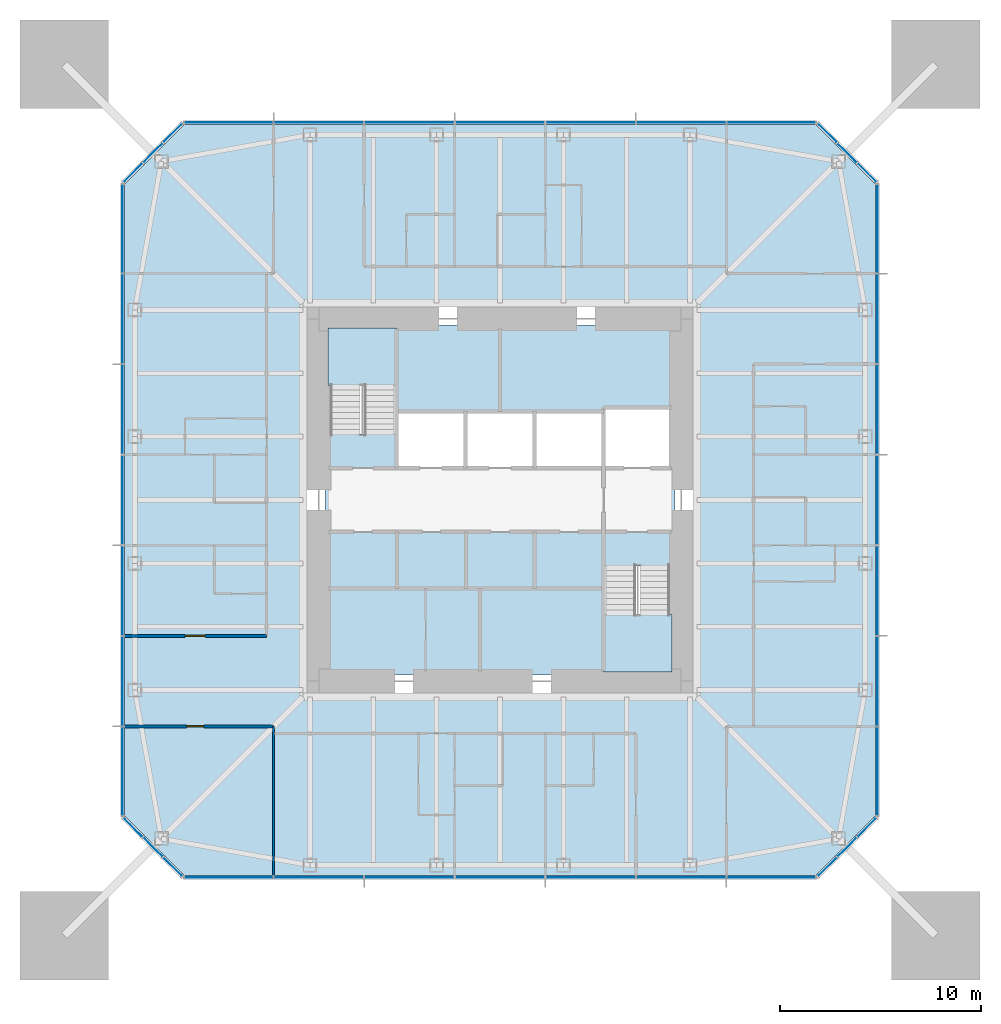
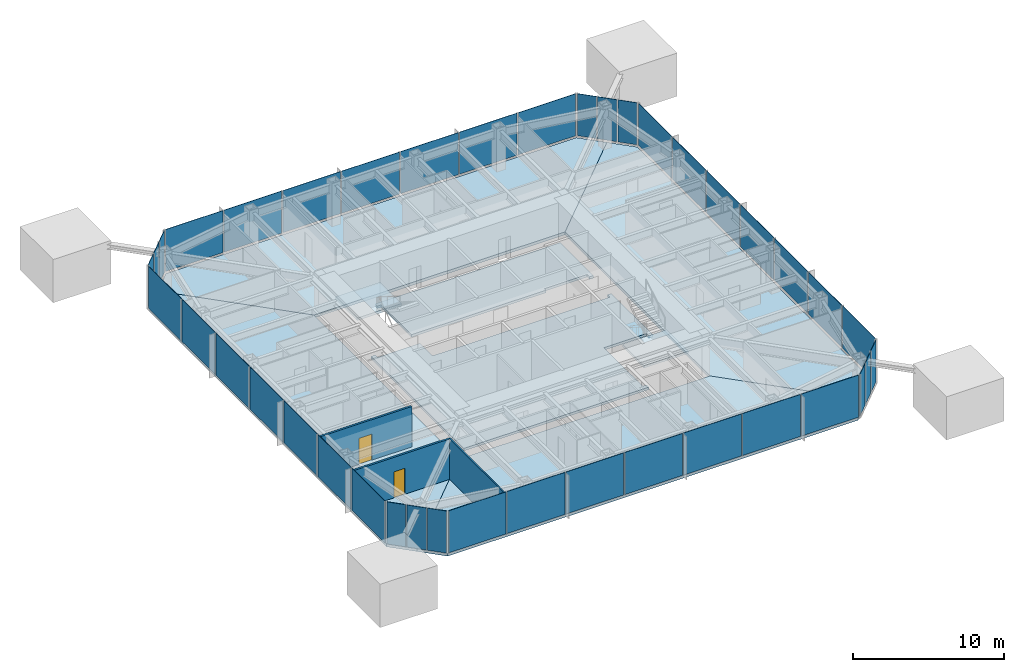
# One storey, part 5 of 11: 40 plates, 8 slabs, 3 walls, 2 doors, 2 openings, 10 elements without a shape of their own.
"""IFC4 building model written with IfcOpenShell, lengths in metres."""

from ifc_helpers import new_model, si_unit, direction, frame, frame_2d, origin, origin_2d, place, context, subcontext, project, spatial, polyline, rectangle, outline, extrude, material, layer, layer_set, constituent, constituent_set, type_object, element, fill, aggregate, save


model = new_model("IFC4")

# Units and contexts
model_context = context("Model", 3, precision=1e-05, world=origin(), true_north=direction((0.0, 1.0)))
body_context = subcontext(model_context, "Body", "Model", "MODEL_VIEW")
ifc_project = project(units=[si_unit("LENGTHUNIT", "METRE"), si_unit("AREAUNIT", "SQUARE_METRE"), si_unit("VOLUMEUNIT", "CUBIC_METRE"), si_unit("PLANEANGLEUNIT", "RADIAN"), si_unit("MASSUNIT", "GRAM", prefix="KILO")], contexts=[model_context])

# Site, building, storey
site_placement = place(None, origin())
site = spatial("IfcSite", under=ifc_project, at=site_placement, CompositionType="ELEMENT")
building_placement = place(site_placement, origin())
building = spatial("IfcBuilding", under=site, at=building_placement, Name="Iwan Alto Co-Living Towers", CompositionType="ELEMENT")
storey_placement = place(building_placement, frame((0.0, 0.0, 170.5)))
storey = spatial("IfcBuildingStorey", under=building, at=storey_placement, Name="L46", CompositionType="ELEMENT", Elevation=170.5)

# Slabs
ifc_material_1 = material(Name="Concrete f'c 30 MPa", Category="concrete")
ifc_layer_1 = layer(ifc_material_1, 0.199951171875)
ifc_layer_set_1 = layer_set([ifc_layer_1], Name="CORE FLOOR SLAB 200")
slab_type_1 = type_object("IfcSlabType", Name="CORE FLOOR SLAB 200", PredefinedType="FLOOR", material=ifc_layer_set_1)
slab_1_placement = place(storey_placement, frame((0.0, 0.0, -0.199951171875)))
element("IfcSlab", 1, at=slab_1_placement, inside=storey, type_object=slab_type_1, Name="T1 core floor L46", PredefinedType="FLOOR", context=body_context, shape_type="SweptSolid", body=[
    extrude(outline(polyline([(5.14990234375, -8.39990234375), (5.4599609375, -8.39990234375), (5.4599609375, -8.699951171875), (-8.699951171875, -8.699951171875), (-8.699951171875, 3.580078125), (-8.39990234375, 3.580078125), (-8.39990234375, 3.27001953125), (-5.14990234375, 3.27001953125), (-5.14990234375, 1.60009765625), (-1.717041015625, 1.60009765625), (1.717041015625, 1.60009765625), (5.14990234375, 1.60009765625), (8.39990234375, 1.60009765625), (8.39990234375, 1.909912109375), (8.699951171875, 1.909912109375), (8.699951171875, -3.580078125), (8.39990234375, -3.580078125), (8.39990234375, -3.27001953125), (5.14990234375, -3.27001953125), (5.14990234375, -8.39990234375)])), origin(), (0.0, 0.0, 1.0), 0.199951171875),
])
slab_2_placement = place(storey_placement, frame((0.0, 0.0, -0.199951171875)))
element("IfcSlab", 2, at=slab_2_placement, inside=storey, type_object=slab_type_1, Name="T1 core floor L46", PredefinedType="FLOOR", context=body_context, shape_type="SweptSolid", body=[
    extrude(outline(polyline([(1.717041015625, 4.39990234375), (-1.717041015625, 4.39990234375), (-5.14990234375, 4.39990234375), (-5.14990234375, 8.39990234375), (-5.4599609375, 8.39990234375), (-5.4599609375, 8.699951171875), (8.699951171875, 8.699951171875), (8.699951171875, 4.2900390625), (8.39990234375, 4.2900390625), (8.39990234375, 4.60009765625), (5.14990234375, 4.60009765625), (5.14990234375, 4.39990234375), (1.717041015625, 4.39990234375)])), origin(), (0.0, 0.0, 1.0), 0.199951171875),
])

# Curtain wall, plates
ifc_material_2 = material(Name="Bronze aluminium unitised frame", Category="aluminium")
curtain_wall_type_1 = type_object("IfcCurtainWallType", Name="CURTAIN WALL CW-A", PredefinedType="NOTDEFINED", material=ifc_material_2)
curtain_wall_1_placement = place(storey_placement, origin())
curtain_wall_1 = element("IfcCurtainWall", 3, at=curtain_wall_1_placement, inside=storey, type_object=curtain_wall_type_1, Name="T1 curtain wall S L46", PredefinedType="NOTDEFINED")
ifc_material_3 = material(Name="Bronze-tinted insulating glass", Category="glass")
ifc_layer_2 = layer(ifc_material_3, 0.031982421875)
ifc_layer_set_2 = layer_set([ifc_layer_2], Name="CW-A PANEL TINTED IGU 32")
plate_type_1 = type_object("IfcPlateType", Name="CW-A PANEL TINTED IGU 32", PredefinedType="CURTAIN_PANEL", material=ifc_layer_set_2)
plate_1_placement = place(storey_placement, frame((-13.47998046875, -18.75, 0.10009765625), z_axis=(0.0, 0.0, 1.0), x_axis=(1.0, 0.0, 0.0)))
plate_1 = element("IfcPlate", 4, at=plate_1_placement, type_object=plate_type_1, Name="CW-A panel 1.1", PredefinedType="CURTAIN_PANEL", context=body_context, shape_type="SweptSolid", body=[
    extrude(rectangle(XDim=4.3798828125, YDim=0.031982421875, at=origin_2d()), origin(), (0.0, 0.0, 1.0), 3.39990234375),
])
plate_2_placement = place(storey_placement, frame((-9.0, -18.75, 0.10009765625), z_axis=(0.0, 0.0, 1.0), x_axis=(1.0, 0.0, 0.0)))
plate_2 = element("IfcPlate", 5, at=plate_2_placement, type_object=plate_type_1, Name="CW-A panel 2.1", PredefinedType="CURTAIN_PANEL", context=body_context, shape_type="SweptSolid", body=[
    extrude(rectangle(XDim=4.419921875, YDim=0.031982421875, at=origin_2d()), origin(), (0.0, 0.0, 1.0), 3.39990234375),
])
plate_3_placement = place(storey_placement, frame((-4.5, -18.75, 0.10009765625), z_axis=(0.0, 0.0, 1.0), x_axis=(1.0, 0.0, 0.0)))
plate_3 = element("IfcPlate", 6, at=plate_3_placement, type_object=plate_type_1, Name="CW-A panel 3.1", PredefinedType="CURTAIN_PANEL", context=body_context, shape_type="SweptSolid", body=[
    extrude(rectangle(XDim=4.419921875, YDim=0.031982421875, at=origin_2d()), origin(), (0.0, 0.0, 1.0), 3.39990234375),
])
plate_4_placement = place(storey_placement, frame((0.0, -18.75, 0.10009765625), z_axis=(0.0, 0.0, 1.0), x_axis=(1.0, 0.0, 0.0)))
plate_4 = element("IfcPlate", 7, at=plate_4_placement, type_object=plate_type_1, Name="CW-A panel 4.1", PredefinedType="CURTAIN_PANEL", context=body_context, shape_type="SweptSolid", body=[
    extrude(rectangle(XDim=4.419921875, YDim=0.031982421875, at=origin_2d()), origin(), (0.0, 0.0, 1.0), 3.39990234375),
])
plate_5_placement = place(storey_placement, frame((4.5, -18.75, 0.10009765625), z_axis=(0.0, 0.0, 1.0), x_axis=(1.0, 0.0, 0.0)))
plate_5 = element("IfcPlate", 8, at=plate_5_placement, type_object=plate_type_1, Name="CW-A panel 5.1", PredefinedType="CURTAIN_PANEL", context=body_context, shape_type="SweptSolid", body=[
    extrude(rectangle(XDim=4.419921875, YDim=0.031982421875, at=origin_2d()), origin(), (0.0, 0.0, 1.0), 3.39990234375),
])
plate_6_placement = place(storey_placement, frame((9.0, -18.75, 0.10009765625), z_axis=(0.0, 0.0, 1.0), x_axis=(1.0, 0.0, 0.0)))
plate_6 = element("IfcPlate", 9, at=plate_6_placement, type_object=plate_type_1, Name="CW-A panel 6.1", PredefinedType="CURTAIN_PANEL", context=body_context, shape_type="SweptSolid", body=[
    extrude(rectangle(XDim=4.419921875, YDim=0.031982421875, at=origin_2d()), origin(), (0.0, 0.0, 1.0), 3.39990234375),
])
plate_7_placement = place(storey_placement, frame((13.47998046875, -18.75, 0.10009765625), z_axis=(0.0, 0.0, 1.0), x_axis=(1.0, 0.0, 0.0)))
plate_7 = element("IfcPlate", 10, at=plate_7_placement, type_object=plate_type_1, Name="CW-A panel 7.1", PredefinedType="CURTAIN_PANEL", context=body_context, shape_type="SweptSolid", body=[
    extrude(rectangle(XDim=4.3798828125, YDim=0.031982421875, at=origin_2d()), origin(), (0.0, 0.0, 1.0), 3.39990234375),
])
aggregate(curtain_wall_1, [plate_1, plate_2, plate_3, plate_4, plate_5, plate_6, plate_7])

curtain_wall_2_placement = place(storey_placement, origin())
curtain_wall_2 = element("IfcCurtainWall", 11, at=curtain_wall_2_placement, inside=storey, type_object=curtain_wall_type_1, Name="T1 curtain wall E L46", PredefinedType="NOTDEFINED")
plate_8_placement = place(storey_placement, frame((18.75, -13.47998046875, 0.10009765625), z_axis=(0.0, 0.0, 1.0), x_axis=(0.0, 1.0, 0.0)))
plate_8 = element("IfcPlate", 12, at=plate_8_placement, type_object=plate_type_1, Name="CW-A panel 1.1", PredefinedType="CURTAIN_PANEL", context=body_context, shape_type="SweptSolid", body=[
    extrude(rectangle(XDim=4.3798828125, YDim=0.031982421875, at=origin_2d()), origin(), (0.0, 0.0, 1.0), 3.39990234375),
])
plate_9_placement = place(storey_placement, frame((18.75, -9.0, 0.10009765625), z_axis=(0.0, 0.0, 1.0), x_axis=(0.0, 1.0, 0.0)))
plate_9 = element("IfcPlate", 13, at=plate_9_placement, type_object=plate_type_1, Name="CW-A panel 2.1", PredefinedType="CURTAIN_PANEL", context=body_context, shape_type="SweptSolid", body=[
    extrude(rectangle(XDim=4.419921875, YDim=0.031982421875, at=origin_2d()), origin(), (0.0, 0.0, 1.0), 3.39990234375),
])
plate_10_placement = place(storey_placement, frame((18.75, -4.5, 0.10009765625), z_axis=(0.0, 0.0, 1.0), x_axis=(0.0, 1.0, 0.0)))
plate_10 = element("IfcPlate", 14, at=plate_10_placement, type_object=plate_type_1, Name="CW-A panel 3.1", PredefinedType="CURTAIN_PANEL", context=body_context, shape_type="SweptSolid", body=[
    extrude(rectangle(XDim=4.419921875, YDim=0.031982421875, at=origin_2d()), origin(), (0.0, 0.0, 1.0), 3.39990234375),
])
plate_11_placement = place(storey_placement, frame((18.75, 0.0, 0.10009765625), z_axis=(0.0, 0.0, 1.0), x_axis=(0.0, 1.0, 0.0)))
plate_11 = element("IfcPlate", 15, at=plate_11_placement, type_object=plate_type_1, Name="CW-A panel 4.1", PredefinedType="CURTAIN_PANEL", context=body_context, shape_type="SweptSolid", body=[
    extrude(rectangle(XDim=4.419921875, YDim=0.031982421875, at=origin_2d()), origin(), (0.0, 0.0, 1.0), 3.39990234375),
])
plate_12_placement = place(storey_placement, frame((18.75, 4.5, 0.10009765625), z_axis=(0.0, 0.0, 1.0), x_axis=(0.0, 1.0, 0.0)))
plate_12 = element("IfcPlate", 16, at=plate_12_placement, type_object=plate_type_1, Name="CW-A panel 5.1", PredefinedType="CURTAIN_PANEL", context=body_context, shape_type="SweptSolid", body=[
    extrude(rectangle(XDim=4.419921875, YDim=0.031982421875, at=origin_2d()), origin(), (0.0, 0.0, 1.0), 3.39990234375),
])
plate_13_placement = place(storey_placement, frame((18.75, 9.0, 0.10009765625), z_axis=(0.0, 0.0, 1.0), x_axis=(0.0, 1.0, 0.0)))
plate_13 = element("IfcPlate", 17, at=plate_13_placement, type_object=plate_type_1, Name="CW-A panel 6.1", PredefinedType="CURTAIN_PANEL", context=body_context, shape_type="SweptSolid", body=[
    extrude(rectangle(XDim=4.419921875, YDim=0.031982421875, at=origin_2d()), origin(), (0.0, 0.0, 1.0), 3.39990234375),
])
plate_14_placement = place(storey_placement, frame((18.75, 13.47998046875, 0.10009765625), z_axis=(0.0, 0.0, 1.0), x_axis=(0.0, 1.0, 0.0)))
plate_14 = element("IfcPlate", 18, at=plate_14_placement, type_object=plate_type_1, Name="CW-A panel 7.1", PredefinedType="CURTAIN_PANEL", context=body_context, shape_type="SweptSolid", body=[
    extrude(rectangle(XDim=4.3798828125, YDim=0.031982421875, at=origin_2d()), origin(), (0.0, 0.0, 1.0), 3.39990234375),
])
aggregate(curtain_wall_2, [plate_8, plate_9, plate_10, plate_11, plate_12, plate_13, plate_14])

curtain_wall_3_placement = place(storey_placement, origin())
curtain_wall_3 = element("IfcCurtainWall", 19, at=curtain_wall_3_placement, inside=storey, type_object=curtain_wall_type_1, Name="T1 curtain wall N L46", PredefinedType="NOTDEFINED")
plate_15_placement = place(storey_placement, frame((13.47998046875, 18.75, 0.10009765625), z_axis=(0.0, 0.0, 1.0), x_axis=(-1.0, 0.0, 0.0)))
plate_15 = element("IfcPlate", 20, at=plate_15_placement, type_object=plate_type_1, Name="CW-A panel 1.1", PredefinedType="CURTAIN_PANEL", context=body_context, shape_type="SweptSolid", body=[
    extrude(rectangle(XDim=4.3798828125, YDim=0.031982421875, at=origin_2d()), origin(), (0.0, 0.0, 1.0), 3.39990234375),
])
plate_16_placement = place(storey_placement, frame((9.0, 18.75, 0.10009765625), z_axis=(0.0, 0.0, 1.0), x_axis=(-1.0, 0.0, 0.0)))
plate_16 = element("IfcPlate", 21, at=plate_16_placement, type_object=plate_type_1, Name="CW-A panel 2.1", PredefinedType="CURTAIN_PANEL", context=body_context, shape_type="SweptSolid", body=[
    extrude(rectangle(XDim=4.419921875, YDim=0.031982421875, at=origin_2d()), origin(), (0.0, 0.0, 1.0), 3.39990234375),
])
plate_17_placement = place(storey_placement, frame((4.5, 18.75, 0.10009765625), z_axis=(0.0, 0.0, 1.0), x_axis=(-1.0, 0.0, 0.0)))
plate_17 = element("IfcPlate", 22, at=plate_17_placement, type_object=plate_type_1, Name="CW-A panel 3.1", PredefinedType="CURTAIN_PANEL", context=body_context, shape_type="SweptSolid", body=[
    extrude(rectangle(XDim=4.419921875, YDim=0.031982421875, at=origin_2d()), origin(), (0.0, 0.0, 1.0), 3.39990234375),
])
plate_18_placement = place(storey_placement, frame((0.0, 18.75, 0.10009765625), z_axis=(0.0, 0.0, 1.0), x_axis=(-1.0, 0.0, 0.0)))
plate_18 = element("IfcPlate", 23, at=plate_18_placement, type_object=plate_type_1, Name="CW-A panel 4.1", PredefinedType="CURTAIN_PANEL", context=body_context, shape_type="SweptSolid", body=[
    extrude(rectangle(XDim=4.419921875, YDim=0.031982421875, at=origin_2d()), origin(), (0.0, 0.0, 1.0), 3.39990234375),
])
plate_19_placement = place(storey_placement, frame((-4.5, 18.75, 0.10009765625), z_axis=(0.0, 0.0, 1.0), x_axis=(-1.0, 0.0, 0.0)))
plate_19 = element("IfcPlate", 24, at=plate_19_placement, type_object=plate_type_1, Name="CW-A panel 5.1", PredefinedType="CURTAIN_PANEL", context=body_context, shape_type="SweptSolid", body=[
    extrude(rectangle(XDim=4.419921875, YDim=0.031982421875, at=origin_2d()), origin(), (0.0, 0.0, 1.0), 3.39990234375),
])
plate_20_placement = place(storey_placement, frame((-9.0, 18.75, 0.10009765625), z_axis=(0.0, 0.0, 1.0), x_axis=(-1.0, 0.0, 0.0)))
plate_20 = element("IfcPlate", 25, at=plate_20_placement, type_object=plate_type_1, Name="CW-A panel 6.1", PredefinedType="CURTAIN_PANEL", context=body_context, shape_type="SweptSolid", body=[
    extrude(rectangle(XDim=4.419921875, YDim=0.031982421875, at=origin_2d()), origin(), (0.0, 0.0, 1.0), 3.39990234375),
])
plate_21_placement = place(storey_placement, frame((-13.47998046875, 18.75, 0.10009765625), z_axis=(0.0, 0.0, 1.0), x_axis=(-1.0, 0.0, 0.0)))
plate_21 = element("IfcPlate", 26, at=plate_21_placement, type_object=plate_type_1, Name="CW-A panel 7.1", PredefinedType="CURTAIN_PANEL", context=body_context, shape_type="SweptSolid", body=[
    extrude(rectangle(XDim=4.3798828125, YDim=0.031982421875, at=origin_2d()), origin(), (0.0, 0.0, 1.0), 3.39990234375),
])
aggregate(curtain_wall_3, [plate_15, plate_16, plate_17, plate_18, plate_19, plate_20, plate_21])

curtain_wall_4_placement = place(storey_placement, origin())
curtain_wall_4 = element("IfcCurtainWall", 27, at=curtain_wall_4_placement, inside=storey, type_object=curtain_wall_type_1, Name="T1 curtain wall W L46", PredefinedType="NOTDEFINED")
plate_22_placement = place(storey_placement, frame((-18.75, 13.47998046875, 0.10009765625), z_axis=(0.0, 0.0, 1.0), x_axis=(0.0, -1.0, 0.0)))
plate_22 = element("IfcPlate", 28, at=plate_22_placement, type_object=plate_type_1, Name="CW-A panel 1.1", PredefinedType="CURTAIN_PANEL", context=body_context, shape_type="SweptSolid", body=[
    extrude(rectangle(XDim=4.3798828125, YDim=0.031982421875, at=origin_2d()), origin(), (0.0, 0.0, 1.0), 3.39990234375),
])
plate_23_placement = place(storey_placement, frame((-18.75, 9.0, 0.10009765625), z_axis=(0.0, 0.0, 1.0), x_axis=(0.0, -1.0, 0.0)))
plate_23 = element("IfcPlate", 29, at=plate_23_placement, type_object=plate_type_1, Name="CW-A panel 2.1", PredefinedType="CURTAIN_PANEL", context=body_context, shape_type="SweptSolid", body=[
    extrude(rectangle(XDim=4.419921875, YDim=0.031982421875, at=origin_2d()), origin(), (0.0, 0.0, 1.0), 3.39990234375),
])
plate_24_placement = place(storey_placement, frame((-18.75, 4.5, 0.10009765625), z_axis=(0.0, 0.0, 1.0), x_axis=(0.0, -1.0, 0.0)))
plate_24 = element("IfcPlate", 30, at=plate_24_placement, type_object=plate_type_1, Name="CW-A panel 3.1", PredefinedType="CURTAIN_PANEL", context=body_context, shape_type="SweptSolid", body=[
    extrude(rectangle(XDim=4.419921875, YDim=0.031982421875, at=origin_2d()), origin(), (0.0, 0.0, 1.0), 3.39990234375),
])
plate_25_placement = place(storey_placement, frame((-18.75, 0.0, 0.10009765625), z_axis=(0.0, 0.0, 1.0), x_axis=(0.0, -1.0, 0.0)))
plate_25 = element("IfcPlate", 31, at=plate_25_placement, type_object=plate_type_1, Name="CW-A panel 4.1", PredefinedType="CURTAIN_PANEL", context=body_context, shape_type="SweptSolid", body=[
    extrude(rectangle(XDim=4.419921875, YDim=0.031982421875, at=origin_2d()), origin(), (0.0, 0.0, 1.0), 3.39990234375),
])
plate_26_placement = place(storey_placement, frame((-18.75, -4.5, 0.10009765625), z_axis=(0.0, 0.0, 1.0), x_axis=(0.0, -1.0, 0.0)))
plate_26 = element("IfcPlate", 32, at=plate_26_placement, type_object=plate_type_1, Name="CW-A panel 5.1", PredefinedType="CURTAIN_PANEL", context=body_context, shape_type="SweptSolid", body=[
    extrude(rectangle(XDim=4.419921875, YDim=0.031982421875, at=origin_2d()), origin(), (0.0, 0.0, 1.0), 3.39990234375),
])
plate_27_placement = place(storey_placement, frame((-18.75, -9.0, 0.10009765625), z_axis=(0.0, 0.0, 1.0), x_axis=(0.0, -1.0, 0.0)))
plate_27 = element("IfcPlate", 33, at=plate_27_placement, type_object=plate_type_1, Name="CW-A panel 6.1", PredefinedType="CURTAIN_PANEL", context=body_context, shape_type="SweptSolid", body=[
    extrude(rectangle(XDim=4.419921875, YDim=0.031982421875, at=origin_2d()), origin(), (0.0, 0.0, 1.0), 3.39990234375),
])
plate_28_placement = place(storey_placement, frame((-18.75, -13.47998046875, 0.10009765625), z_axis=(0.0, 0.0, 1.0), x_axis=(0.0, -1.0, 0.0)))
plate_28 = element("IfcPlate", 34, at=plate_28_placement, type_object=plate_type_1, Name="CW-A panel 7.1", PredefinedType="CURTAIN_PANEL", context=body_context, shape_type="SweptSolid", body=[
    extrude(rectangle(XDim=4.3798828125, YDim=0.031982421875, at=origin_2d()), origin(), (0.0, 0.0, 1.0), 3.39990234375),
])
aggregate(curtain_wall_4, [plate_22, plate_23, plate_24, plate_25, plate_26, plate_27, plate_28])

ifc_material_4 = material(Name="Bronze aluminium unitised frame", Category="aluminium")
curtain_wall_type_2 = type_object("IfcCurtainWallType", Name="CURTAIN WALL CW-B", PredefinedType="NOTDEFINED", material=ifc_material_4)
curtain_wall_5_placement = place(storey_placement, origin())
curtain_wall_5 = element("IfcCurtainWall", 35, at=curtain_wall_5_placement, inside=storey, type_object=curtain_wall_type_2, Name="T1 chamfer curtain wall SE L46", PredefinedType="NOTDEFINED")
ifc_material_5 = material(Name="Bronze-tinted insulating glass", Category="glass")
ifc_layer_3 = layer(ifc_material_5, 0.031982421875)
ifc_layer_set_3 = layer_set([ifc_layer_3], Name="CW-B PANEL TINTED IGU 32")
plate_type_2 = type_object("IfcPlateType", Name="CW-B PANEL TINTED IGU 32", PredefinedType="CURTAIN_PANEL", material=ifc_layer_set_3)
plate_29_placement = place(storey_placement, frame((16.26416015625, -18.23583984375, 0.10009765625), z_axis=(0.0, 0.0, 1.0), x_axis=(0.707106781187, 0.707106781187, 0.0)))
plate_29 = element("IfcPlate", 36, at=plate_29_placement, type_object=plate_type_2, Name="CW-B panel 1.1", PredefinedType="CURTAIN_PANEL", context=body_context, shape_type="SweptSolid", body=[
    extrude(rectangle(XDim=1.294189453125, YDim=0.031982421875, at=origin_2d()), origin(), (0.0, 0.0, 1.0), 3.39990234375),
])
plate_30_placement = place(storey_placement, frame((17.25, -17.25, 0.10009765625), z_axis=(0.0, 0.0, 1.0), x_axis=(0.707106781187, 0.707106781187, 0.0)))
plate_30 = element("IfcPlate", 37, at=plate_30_placement, type_object=plate_type_2, Name="CW-B panel 2.1", PredefinedType="CURTAIN_PANEL", context=body_context, shape_type="SweptSolid", body=[
    extrude(rectangle(XDim=1.334228515625, YDim=0.031982421875, at=origin_2d()), origin(), (0.0, 0.0, 1.0), 3.39990234375),
])
plate_31_placement = place(storey_placement, frame((18.23583984375, -16.26416015625, 0.10009765625), z_axis=(0.0, 0.0, 1.0), x_axis=(0.707106781187, 0.707106781187, 0.0)))
plate_31 = element("IfcPlate", 38, at=plate_31_placement, type_object=plate_type_2, Name="CW-B panel 3.1", PredefinedType="CURTAIN_PANEL", context=body_context, shape_type="SweptSolid", body=[
    extrude(rectangle(XDim=1.294189453125, YDim=0.031982421875, at=origin_2d()), origin(), (0.0, 0.0, 1.0), 3.39990234375),
])
aggregate(curtain_wall_5, [plate_29, plate_30, plate_31])

curtain_wall_6_placement = place(storey_placement, origin())
curtain_wall_6 = element("IfcCurtainWall", 39, at=curtain_wall_6_placement, inside=storey, type_object=curtain_wall_type_2, Name="T1 chamfer curtain wall NE L46", PredefinedType="NOTDEFINED")
plate_32_placement = place(storey_placement, frame((18.23583984375, 16.26416015625, 0.10009765625), z_axis=(0.0, 0.0, 1.0), x_axis=(-0.707106781187, 0.707106781187, 0.0)))
plate_32 = element("IfcPlate", 40, at=plate_32_placement, type_object=plate_type_2, Name="CW-B panel 1.1", PredefinedType="CURTAIN_PANEL", context=body_context, shape_type="SweptSolid", body=[
    extrude(rectangle(XDim=1.294189453125, YDim=0.031982421875, at=origin_2d()), origin(), (0.0, 0.0, 1.0), 3.39990234375),
])
plate_33_placement = place(storey_placement, frame((17.25, 17.25, 0.10009765625), z_axis=(0.0, 0.0, 1.0), x_axis=(-0.707106781187, 0.707106781187, 0.0)))
plate_33 = element("IfcPlate", 41, at=plate_33_placement, type_object=plate_type_2, Name="CW-B panel 2.1", PredefinedType="CURTAIN_PANEL", context=body_context, shape_type="SweptSolid", body=[
    extrude(rectangle(XDim=1.334228515625, YDim=0.031982421875, at=origin_2d()), origin(), (0.0, 0.0, 1.0), 3.39990234375),
])
plate_34_placement = place(storey_placement, frame((16.26416015625, 18.23583984375, 0.10009765625), z_axis=(0.0, 0.0, 1.0), x_axis=(-0.707106781187, 0.707106781187, 0.0)))
plate_34 = element("IfcPlate", 42, at=plate_34_placement, type_object=plate_type_2, Name="CW-B panel 3.1", PredefinedType="CURTAIN_PANEL", context=body_context, shape_type="SweptSolid", body=[
    extrude(rectangle(XDim=1.294189453125, YDim=0.031982421875, at=origin_2d()), origin(), (0.0, 0.0, 1.0), 3.39990234375),
])
aggregate(curtain_wall_6, [plate_32, plate_33, plate_34])

curtain_wall_7_placement = place(storey_placement, origin())
curtain_wall_7 = element("IfcCurtainWall", 43, at=curtain_wall_7_placement, inside=storey, type_object=curtain_wall_type_2, Name="T1 chamfer curtain wall NW L46", PredefinedType="NOTDEFINED")
plate_35_placement = place(storey_placement, frame((-16.26416015625, 18.23583984375, 0.10009765625), z_axis=(0.0, 0.0, 1.0), x_axis=(-0.707106781187, -0.707106781187, 0.0)))
plate_35 = element("IfcPlate", 44, at=plate_35_placement, type_object=plate_type_2, Name="CW-B panel 1.1", PredefinedType="CURTAIN_PANEL", context=body_context, shape_type="SweptSolid", body=[
    extrude(rectangle(XDim=1.294189453125, YDim=0.031982421875, at=origin_2d()), origin(), (0.0, 0.0, 1.0), 3.39990234375),
])
plate_36_placement = place(storey_placement, frame((-17.25, 17.25, 0.10009765625), z_axis=(0.0, 0.0, 1.0), x_axis=(-0.707106781187, -0.707106781187, 0.0)))
plate_36 = element("IfcPlate", 45, at=plate_36_placement, type_object=plate_type_2, Name="CW-B panel 2.1", PredefinedType="CURTAIN_PANEL", context=body_context, shape_type="SweptSolid", body=[
    extrude(rectangle(XDim=1.334228515625, YDim=0.031982421875, at=origin_2d()), origin(), (0.0, 0.0, 1.0), 3.39990234375),
])
plate_37_placement = place(storey_placement, frame((-18.23583984375, 16.26416015625, 0.10009765625), z_axis=(0.0, 0.0, 1.0), x_axis=(-0.707106781187, -0.707106781187, 0.0)))
plate_37 = element("IfcPlate", 46, at=plate_37_placement, type_object=plate_type_2, Name="CW-B panel 3.1", PredefinedType="CURTAIN_PANEL", context=body_context, shape_type="SweptSolid", body=[
    extrude(rectangle(XDim=1.294189453125, YDim=0.031982421875, at=origin_2d()), origin(), (0.0, 0.0, 1.0), 3.39990234375),
])
aggregate(curtain_wall_7, [plate_35, plate_36, plate_37])

curtain_wall_8_placement = place(storey_placement, origin())
curtain_wall_8 = element("IfcCurtainWall", 47, at=curtain_wall_8_placement, inside=storey, type_object=curtain_wall_type_2, Name="T1 chamfer curtain wall SW L46", PredefinedType="NOTDEFINED")
plate_38_placement = place(storey_placement, frame((-18.23583984375, -16.26416015625, 0.10009765625), z_axis=(0.0, 0.0, 1.0), x_axis=(0.707106781187, -0.707106781187, 0.0)))
plate_38 = element("IfcPlate", 48, at=plate_38_placement, type_object=plate_type_2, Name="CW-B panel 1.1", PredefinedType="CURTAIN_PANEL", context=body_context, shape_type="SweptSolid", body=[
    extrude(rectangle(XDim=1.294189453125, YDim=0.031982421875, at=origin_2d()), origin(), (0.0, 0.0, 1.0), 3.39990234375),
])
plate_39_placement = place(storey_placement, frame((-17.25, -17.25, 0.10009765625), z_axis=(0.0, 0.0, 1.0), x_axis=(0.707106781187, -0.707106781187, 0.0)))
plate_39 = element("IfcPlate", 49, at=plate_39_placement, type_object=plate_type_2, Name="CW-B panel 2.1", PredefinedType="CURTAIN_PANEL", context=body_context, shape_type="SweptSolid", body=[
    extrude(rectangle(XDim=1.334228515625, YDim=0.031982421875, at=origin_2d()), origin(), (0.0, 0.0, 1.0), 3.39990234375),
])
plate_40_placement = place(storey_placement, frame((-16.26416015625, -18.23583984375, 0.10009765625), z_axis=(0.0, 0.0, 1.0), x_axis=(0.707106781187, -0.707106781187, 0.0)))
plate_40 = element("IfcPlate", 50, at=plate_40_placement, type_object=plate_type_2, Name="CW-B panel 3.1", PredefinedType="CURTAIN_PANEL", context=body_context, shape_type="SweptSolid", body=[
    extrude(rectangle(XDim=1.294189453125, YDim=0.031982421875, at=origin_2d()), origin(), (0.0, 0.0, 1.0), 3.39990234375),
])
aggregate(curtain_wall_8, [plate_38, plate_39, plate_40])

# Stair, slab
ifc_material_6 = material(Name="Steel ASTM A36", Category="steel")
ifc_constituent_1 = constituent(ifc_material_6, Name="Stringers", Category="LoadBearing")
ifc_material_7 = material(Name="Concrete f'c 30 MPa", Category="concrete")
ifc_constituent_2 = constituent(ifc_material_7, Name="Tread fill", Category="Finish")
ifc_constituent_set = constituent_set(constituents=[ifc_constituent_1, ifc_constituent_2], Name="STAIR 3500 TWO-FLIGHT T1 CORE")
stair_type = type_object("IfcStairType", Name="STAIR 3500 TWO-FLIGHT T1 CORE", PredefinedType="HALF_TURN_STAIR", material=ifc_constituent_set)
stair_1_placement = place(storey_placement, origin())
stair_1 = element("IfcStair", 51, at=stair_1_placement, inside=storey, type_object=stair_type, Name="Stair T1-S1 L46 to L47", PredefinedType="HALF_TURN_STAIR")
ifc_material_8 = material(Name="Concrete f'c 30 MPa", Category="concrete")
ifc_layer_4 = layer(ifc_material_8, 0.199951171875)
ifc_layer_set_4 = layer_set([ifc_layer_4], Name="STAIR LANDING 200")
slab_type_2 = type_object("IfcSlabType", Name="STAIR LANDING 200", PredefinedType="LANDING", material=ifc_layer_set_4)
slab_3_placement = place(storey_placement, frame((0.0, 0.0, 1.550048828125)))
slab_3 = element("IfcSlab", 52, at=slab_3_placement, type_object=slab_type_2, Name="T1-S1 landing 1", PredefinedType="LANDING", context=body_context, shape_type="SweptSolid", body=[
    extrude(outline(polyline([(-8.550048828125, 5.68994140625), (-8.550048828125, 8.550048828125), (-5.14990234375, 8.550048828125), (-5.14990234375, 5.68994140625), (-8.550048828125, 5.68994140625)])), origin(), (0.0, 0.0, 1.0), 0.199951171875),
])
aggregate(stair_1, [slab_3])

stair_2_placement = place(storey_placement, origin())
stair_2 = element("IfcStair", 53, at=stair_2_placement, inside=storey, type_object=stair_type, Name="Stair T1-S2 L46 to L47", PredefinedType="HALF_TURN_STAIR")
slab_4_placement = place(storey_placement, frame((0.0, 0.0, 1.550048828125)))
slab_4 = element("IfcSlab", 54, at=slab_4_placement, type_object=slab_type_2, Name="T1-S2 landing 1", PredefinedType="LANDING", context=body_context, shape_type="SweptSolid", body=[
    extrude(outline(polyline([(5.14990234375, -5.68994140625), (5.14990234375, -8.550048828125), (8.550048828125, -8.550048828125), (8.550048828125, -5.68994140625), (5.14990234375, -5.68994140625)])), origin(), (0.0, 0.0, 1.0), 0.199951171875),
])
aggregate(stair_2, [slab_4])

# Slabs
ifc_material_9 = material(Name="Concrete f'c 30 MPa", Category="concrete")
ifc_layer_5 = layer(ifc_material_9, 0.22998046875)
ifc_layer_set_5 = layer_set([ifc_layer_5], Name="T1 FLOOR SLAB 230")
slab_type_3 = type_object("IfcSlabType", Name="T1 FLOOR SLAB 230", PredefinedType="FLOOR", material=ifc_layer_set_5)
slab_5_placement = place(storey_placement, frame((0.0, 0.0, -0.22998046875)))
element("IfcSlab", 55, at=slab_5_placement, inside=storey, type_object=slab_type_3, Name="T1 floor slab L46 S pour", PredefinedType="FLOOR", context=body_context, shape_type="SweptSolid", body=[
    extrude(outline(polyline([(15.69140625, -18.64990234375), (-15.69140625, -18.64990234375), (-17.170654296875, -17.170654296875), (-9.60009765625, -9.60009765625), (9.60009765625, -9.60009765625), (17.170654296875, -17.170654296875), (15.69140625, -18.64990234375)])), origin(), (0.0, 0.0, 1.0), 0.22998046875),
])
slab_6_placement = place(storey_placement, frame((0.0, 0.0, -0.22998046875)))
element("IfcSlab", 56, at=slab_6_placement, inside=storey, type_object=slab_type_3, Name="T1 floor slab L46 E pour", PredefinedType="FLOOR", context=body_context, shape_type="SweptSolid", body=[
    extrude(outline(polyline([(18.64990234375, 15.69140625), (18.64990234375, -15.69140625), (17.170654296875, -17.170654296875), (9.60009765625, -9.60009765625), (9.60009765625, 9.60009765625), (17.170654296875, 17.170654296875), (18.64990234375, 15.69140625)])), origin(), (0.0, 0.0, 1.0), 0.22998046875),
])
slab_7_placement = place(storey_placement, frame((0.0, 0.0, -0.22998046875)))
element("IfcSlab", 57, at=slab_7_placement, inside=storey, type_object=slab_type_3, Name="T1 floor slab L46 N pour", PredefinedType="FLOOR", context=body_context, shape_type="SweptSolid", body=[
    extrude(outline(polyline([(-15.69140625, 18.64990234375), (15.69140625, 18.64990234375), (17.170654296875, 17.170654296875), (9.60009765625, 9.60009765625), (-9.60009765625, 9.60009765625), (-17.170654296875, 17.170654296875), (-15.69140625, 18.64990234375)])), origin(), (0.0, 0.0, 1.0), 0.22998046875),
])
slab_8_placement = place(storey_placement, frame((0.0, 0.0, -0.22998046875)))
element("IfcSlab", 58, at=slab_8_placement, inside=storey, type_object=slab_type_3, Name="T1 floor slab L46 W pour", PredefinedType="FLOOR", context=body_context, shape_type="SweptSolid", body=[
    extrude(outline(polyline([(-18.64990234375, 15.69140625), (-17.170654296875, 17.170654296875), (-9.60009765625, 9.60009765625), (-9.60009765625, -9.60009765625), (-17.170654296875, -17.170654296875), (-18.64990234375, -15.69140625), (-18.64990234375, 15.69140625)])), origin(), (0.0, 0.0, 1.0), 0.22998046875),
])

# Wall, opening, door
ifc_material_10 = material(Name="Gypsum board")
ifc_layer_6 = layer(ifc_material_10, 0.02490234375, Name="Board", Category="Finish")
ifc_material_11 = material(Name="Steel ASTM A1003 ST33H cold-formed studs", Category="steel")
ifc_layer_7 = layer(ifc_material_11, 0.10009765625, Name="Studs", Category="Framing")
ifc_layer_8 = layer(ifc_material_10, 0.02490234375, Name="Board", Category="Finish")
ifc_layer_set_6 = layer_set([ifc_layer_6, ifc_layer_7, ifc_layer_8], Name="CORRIDOR WALL 150")
wall_type_1 = type_object("IfcWallType", Name="CORRIDOR WALL 150", PredefinedType="PARTITIONING", material=ifc_layer_set_6)
wall_1_placement = place(storey_placement, frame((-18.68994140625, -11.25, 0.0), z_axis=(0.0, 0.0, 1.0), x_axis=(1.0, 0.0, 0.0)))
wall_1 = element("IfcWall", 59, at=wall_1_placement, inside=storey, type_object=wall_type_1, Name="Partition L46", PredefinedType="PARTITIONING", context=body_context, shape_type="SweptSolid", body=[
    extrude(rectangle(XDim=7.43994140625, YDim=0.14990234375, at=frame_2d((3.719970703125, 0.0))), origin(), (0.0, 0.0, 1.0), 3.27001953125),
])
opening_1_placement = place(wall_1_placement, frame((3.1201171875, 0.0, 0.0)))
opening_1 = element("IfcOpeningElement", 60, at=opening_1_placement, cuts=wall_1, Name="Opening D2", PredefinedType="OPENING", context=body_context, shape_type="SweptSolid", body=[
    extrude(rectangle(XDim=0.85009765625, YDim=2.10009765625, at=frame_2d((0.425048828125, 1.050048828125))), frame((0.0, 0.0849609375, 0.0), z_axis=(0.0, -1.0, 0.0), x_axis=(1.0, 0.0, 0.0)), (0.0, 0.0, 1.0), 0.169921875),
])
ifc_material_12 = material(Name="Timber leaf in steel frame", Category="steel")
door_type_1 = type_object("IfcDoorType", Name="ROOM DOOR 850X2100", OperationType="SINGLE_SWING_LEFT", PredefinedType="DOOR", material=ifc_material_12)
door_1_placement = place(opening_1_placement, frame((0.85009765625, 0.0, 0.0), z_axis=(0.0, 0.0, 1.0), x_axis=(-1.0, 0.0, 0.0)))
door_1 = element("IfcDoor", 61, at=door_1_placement, inside=storey, type_object=door_type_1, Name="Shared kitchen and lounge door L46", OperationType="SINGLE_SWING_RIGHT", OverallHeight=2.10009765625, OverallWidth=0.85009765625, PredefinedType="DOOR", context=body_context, shape_type="SweptSolid", body=[
    extrude(rectangle(XDim=0.85009765625, YDim=2.10009765625, at=frame_2d((0.425048828125, 1.050048828125))), frame((0.0, 0.02490234375, 0.0), z_axis=(0.0, -1.0, 0.0), x_axis=(1.0, 0.0, 0.0)), (0.0, 0.0, 1.0), 0.050048828125),
])
fill(opening_1, door_1)

wall_2_placement = place(storey_placement, frame((-18.68994140625, -6.75, 0.0), z_axis=(0.0, 0.0, 1.0), x_axis=(1.0, 0.0, 0.0)))
wall_2 = element("IfcWall", 62, at=wall_2_placement, inside=storey, type_object=wall_type_1, Name="Partition L46", PredefinedType="PARTITIONING", context=body_context, shape_type="SweptSolid", body=[
    extrude(rectangle(XDim=7.08984375, YDim=0.14990234375, at=frame_2d((3.544921875, 0.0))), origin(), (0.0, 0.0, 1.0), 3.27001953125),
])
opening_2_placement = place(wall_2_placement, frame((3.044921875, 0.0, 0.0)))
opening_2 = element("IfcOpeningElement", 63, at=opening_2_placement, cuts=wall_2, Name="Opening D3", PredefinedType="OPENING", context=body_context, shape_type="SweptSolid", body=[
    extrude(rectangle(XDim=1.0, YDim=2.10009765625, at=frame_2d((0.5, 1.050048828125))), frame((0.0, 0.0849609375, 0.0), z_axis=(0.0, -1.0, 0.0), x_axis=(1.0, 0.0, 0.0)), (0.0, 0.0, 1.0), 0.169921875),
])
ifc_material_13 = material(Name="Steel frame with timber leaf", Category="steel")
door_type_2 = type_object("IfcDoorType", Name="FLAT ENTRANCE DOOR FD30S 1000X2100", OperationType="SINGLE_SWING_LEFT", PredefinedType="DOOR", material=ifc_material_13)
door_2_placement = place(opening_2_placement, origin())
door_2 = element("IfcDoor", 64, at=door_2_placement, inside=storey, type_object=door_type_2, Name="Studio door L46", OperationType="SINGLE_SWING_RIGHT", OverallHeight=2.10009765625, OverallWidth=1.0, PredefinedType="DOOR", context=body_context, shape_type="SweptSolid", body=[
    extrude(rectangle(XDim=1.0, YDim=2.10009765625, at=frame_2d((0.5, 1.050048828125))), frame((0.0, 0.02490234375, 0.0), z_axis=(0.0, -1.0, 0.0), x_axis=(1.0, 0.0, 0.0)), (0.0, 0.0, 1.0), 0.050048828125),
])
fill(opening_2, door_2)

# Wall
ifc_layer_9 = layer(ifc_material_10, 0.012451171875, Name="Board", Category="Finish")
ifc_layer_10 = layer(ifc_material_11, 0.074951171875, Name="Studs", Category="Framing")
ifc_layer_11 = layer(ifc_material_10, 0.012451171875, Name="Board", Category="Finish")
ifc_layer_set_7 = layer_set([ifc_layer_9, ifc_layer_10, ifc_layer_11], Name="PARTITION 100")
wall_type_2 = type_object("IfcWallType", Name="PARTITION 100", PredefinedType="PARTITIONING", material=ifc_layer_set_7)
wall_3_placement = place(storey_placement, frame((-11.25, -18.68994140625, 0.0), z_axis=(0.0, 0.0, 1.0), x_axis=(0.0, 1.0, 0.0)))
element("IfcWall", 65, at=wall_3_placement, inside=storey, type_object=wall_type_2, Name="Partition L46", PredefinedType="PARTITIONING", context=body_context, shape_type="SweptSolid", body=[
    extrude(rectangle(XDim=7.43994140625, YDim=0.10009765625, at=frame_2d((3.719970703125, 0.0))), origin(), (0.0, 0.0, 1.0), 3.27001953125),
])

save(model, "model.ifc")
